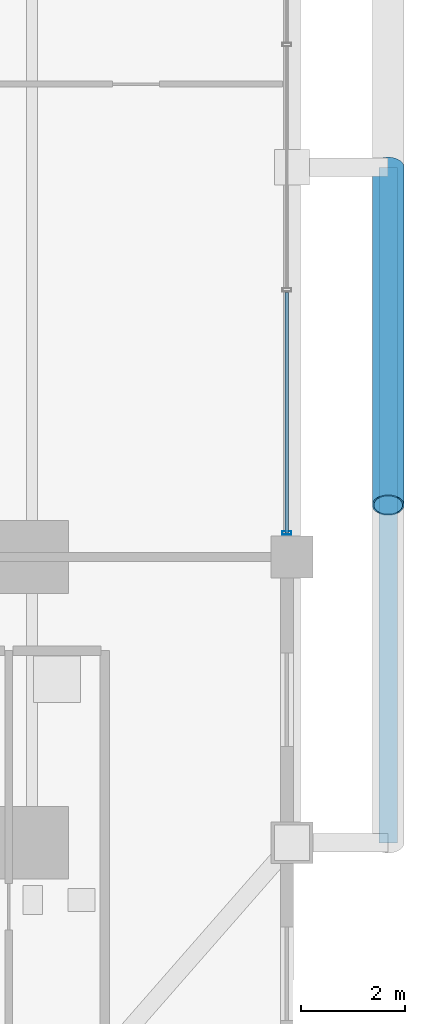
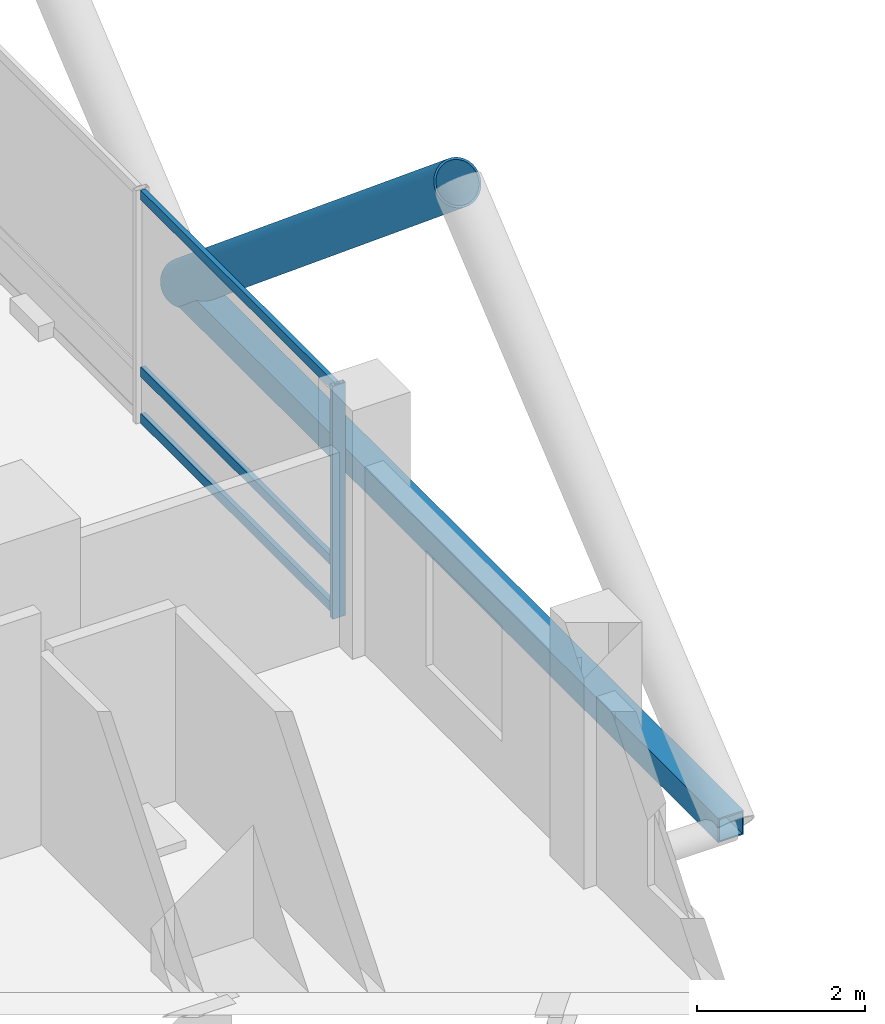
# One storey, part 10 of 28: 6 members, 1 element without a shape of its own.
"""IFC4 building model written with IfcOpenShell, lengths in metres."""

from ifc_helpers import new_model, si_unit, direction, frame, origin, origin_2d, place, context, subcontext, project, spatial, hollow_rectangle, hollow_circle, extrude, material, layer, layer_set, material_profile, profile_set, type_object, element, aggregate, save


model = new_model("IFC4")

# Units and contexts
model_context = context("Model", 3, precision=1e-05, world=origin(), true_north=direction((0.0, 1.0)))
body_context = subcontext(model_context, "Body", "Model", "MODEL_VIEW")
ifc_project = project(units=[si_unit("LENGTHUNIT", "METRE"), si_unit("AREAUNIT", "SQUARE_METRE"), si_unit("VOLUMEUNIT", "CUBIC_METRE"), si_unit("PLANEANGLEUNIT", "RADIAN"), si_unit("MASSUNIT", "GRAM", prefix="KILO")], contexts=[model_context])

# Site, building, storey
site_placement = place(None, origin())
site = spatial("IfcSite", under=ifc_project, at=site_placement, CompositionType="ELEMENT")
building_placement = place(site_placement, origin())
building = spatial("IfcBuilding", under=site, at=building_placement, Name="Barlavira Tower and Art Museum", CompositionType="ELEMENT")
storey_placement = place(building_placement, frame((0.0, 0.0, 39.60009765625)))
storey = spatial("IfcBuildingStorey", under=building, at=storey_placement, Name="L08", CompositionType="ELEMENT", Elevation=39.60009765625)

# Curtain wall, members
ifc_material_1 = material(Name="Low-iron coastal laminated glass", Category="glass")
ifc_layer = layer(ifc_material_1, 0.179931640625, Name="Low-iron coastal laminated glass")
ifc_layer_set = layer_set([ifc_layer], Name="Low-iron coastal laminated glass")
curtain_wall_type = type_object("IfcCurtainWallType", Name="Pale-Metal Unitised Curtain Wall Zone 1", PredefinedType="NOTDEFINED", material=ifc_layer_set)
curtain_wall_placement = place(storey_placement, origin())
curtain_wall = element("IfcCurtainWall", 1, at=curtain_wall_placement, inside=storey, type_object=curtain_wall_type, Name="L08 Curtain Wall CW1-L08-E-B3", PredefinedType="NOTDEFINED")
ifc_material_2 = material(Name="Pale anodised aluminium", Category="aluminium")
ifc_material_profile_1 = material_profile(ifc_material_2, hollow_rectangle(XDim=0.06494140625, YDim=0.179931640625, WallThickness=0.00390625, at=origin_2d()), Name="ALU-MULL 65x180x4")
ifc_profile_set_1 = profile_set([ifc_material_profile_1], Name="Pale anodised aluminium")
member_type_1 = type_object("IfcMemberType", Name="Curtain Wall Pale-Metal Mullion 65x180", PredefinedType="MULLION", material=ifc_profile_set_1)
member_1_placement = place(storey_placement, frame((21.89990234375, -7.034912109375, 0.0), z_axis=(0.0, 0.0, 1.0), x_axis=(0.0, 1.0, 0.0)))
member_1 = element("IfcMember", 2, at=member_1_placement, type_object=member_type_1, Name="CW1-L08-E-B3 Mullion 0", PredefinedType="MULLION", context=body_context, shape_type="SweptSolid", body=[
    extrude(hollow_rectangle(XDim=0.06494140625, YDim=0.179931640625, WallThickness=0.00390625, at=origin_2d()), origin(), (0.0, 0.0, 1.0), 3.3798828125),
])
ifc_material_profile_2 = material_profile(ifc_material_2, hollow_rectangle(XDim=0.06494140625, YDim=0.139892578125, WallThickness=0.00390625, at=origin_2d()), Name="ALU-TRAN 65x140x4")
ifc_profile_set_2 = profile_set([ifc_material_profile_2], Name="Pale anodised aluminium")
member_type_2 = type_object("IfcMemberType", Name="Curtain Wall Pale-Metal Transom 65x140", PredefinedType="USERDEFINED", material=ifc_profile_set_2)
member_2_placement = place(storey_placement, frame((21.89990234375, -7.034912109375, 0.06982421875), z_axis=(0.0, 1.0, 0.0), x_axis=(-1.0, 0.0, 0.0)))
member_2 = element("IfcMember", 3, at=member_2_placement, type_object=member_type_2, Name="CW1-L08-E-B3 Transom 0.1", ObjectType="TRANSOM", PredefinedType="USERDEFINED", context=body_context, shape_type="SweptSolid", body=[
    extrude(hollow_rectangle(XDim=0.06494140625, YDim=0.139892578125, WallThickness=0.00390625, at=origin_2d()), origin(), (0.0, 0.0, 1.0), 4.6298828125),
])
member_3_placement = place(storey_placement, frame((21.89990234375, -7.034912109375, 0.743896484375), z_axis=(0.0, 1.0, 0.0), x_axis=(-1.0, 0.0, 0.0)))
member_3 = element("IfcMember", 4, at=member_3_placement, type_object=member_type_2, Name="CW1-L08-E-B3 Transom 0.2", ObjectType="TRANSOM", PredefinedType="USERDEFINED", context=body_context, shape_type="SweptSolid", body=[
    extrude(hollow_rectangle(XDim=0.06494140625, YDim=0.139892578125, WallThickness=0.00390625, at=origin_2d()), origin(), (0.0, 0.0, 1.0), 4.6298828125),
])
member_4_placement = place(storey_placement, frame((21.89990234375, -7.034912109375, 3.309814453125), z_axis=(0.0, 1.0, 0.0), x_axis=(-1.0, 0.0, 0.0)))
member_4 = element("IfcMember", 5, at=member_4_placement, type_object=member_type_2, Name="CW1-L08-E-B3 Transom 0.3", ObjectType="TRANSOM", PredefinedType="USERDEFINED", context=body_context, shape_type="SweptSolid", body=[
    extrude(hollow_rectangle(XDim=0.06494140625, YDim=0.139892578125, WallThickness=0.00390625, at=origin_2d()), origin(), (0.0, 0.0, 1.0), 4.6298828125),
])
aggregate(curtain_wall, [member_1, member_2, member_3, member_4])

# Members
ifc_material_3 = material(Name="Steel S355", Category="steel")
ifc_material_profile_3 = material_profile(ifc_material_3, hollow_circle(Radius=0.304931640625, WallThickness=0.028076171875, at=origin_2d()), Name="CHS 610.0x28.0")
ifc_profile_set_3 = profile_set([ifc_material_profile_3], Name="Steel S355")
member_type_3 = type_object("IfcMemberType", Name="Pale-Metal Exoskeleton Diagrid Tube CHS 610x28 Steel S355", PredefinedType="BRACE", material=ifc_profile_set_3)
member_5_placement = place(storey_placement, frame((23.85009765625, 0.0, -0.1201171875), z_axis=(0.0, -0.769196053329, 0.639012857104), x_axis=(1.0, 0.0, 0.0)))
element("IfcMember", 6, at=member_5_placement, inside=storey, type_object=member_type_3, Name="L08 Exoskeleton Diagrid Tube E", PredefinedType="BRACE", context=body_context, shape_type="SweptSolid", body=[
    extrude(hollow_circle(Radius=0.304931640625, WallThickness=0.028076171875, at=origin_2d()), origin(), (0.0, 0.0, 1.0), 8.450439453125),
])
ifc_material_profile_4 = material_profile(ifc_material_3, hollow_rectangle(XDim=0.35009765625, YDim=0.35009765625, WallThickness=0.02001953125, at=origin_2d()), Name="SHS 350x350x20.0")
ifc_profile_set_4 = profile_set([ifc_material_profile_4], Name="Steel S355")
member_type_4 = type_object("IfcMemberType", Name="Pale-Metal Exoskeleton Ring Strut SHS 350x350x20 Steel S355", PredefinedType="STRUT", material=ifc_profile_set_4)
member_6_placement = place(storey_placement, frame((23.85009765625, -13.0, -0.1201171875), z_axis=(0.0, 1.0, 0.0), x_axis=(-1.0, 0.0, 0.0)))
element("IfcMember", 7, at=member_6_placement, inside=storey, type_object=member_type_4, Name="L08 Exoskeleton Ring Strut E", PredefinedType="STRUT", context=body_context, shape_type="SweptSolid", body=[
    extrude(hollow_rectangle(XDim=0.35009765625, YDim=0.35009765625, WallThickness=0.02001953125, at=origin_2d()), origin(), (0.0, 0.0, 1.0), 13.0),
])

save(model, "model.ifc")
